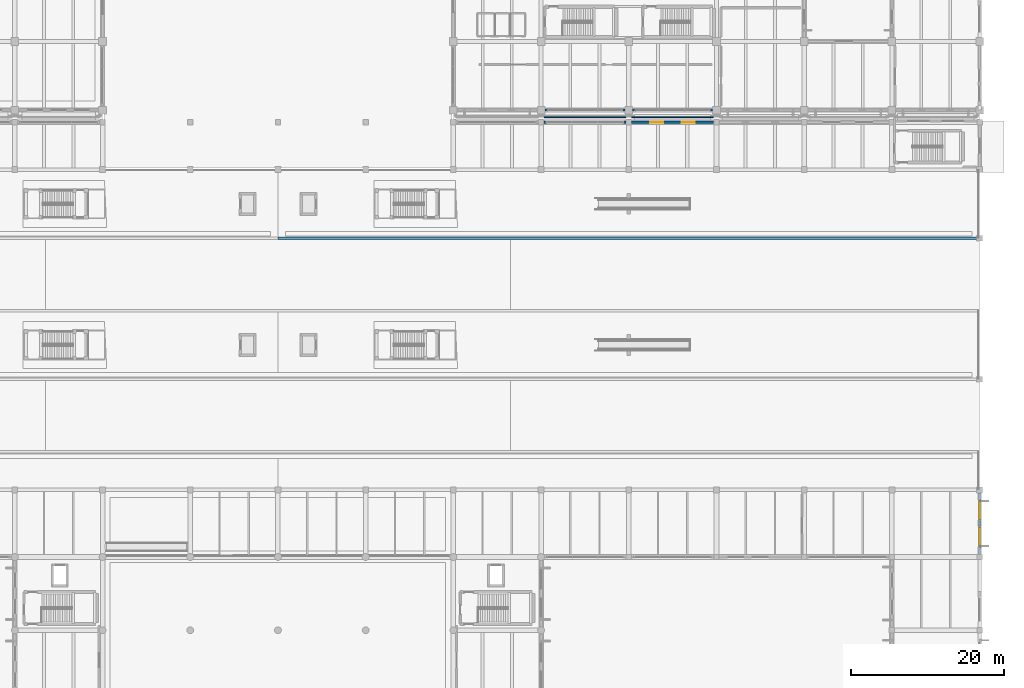
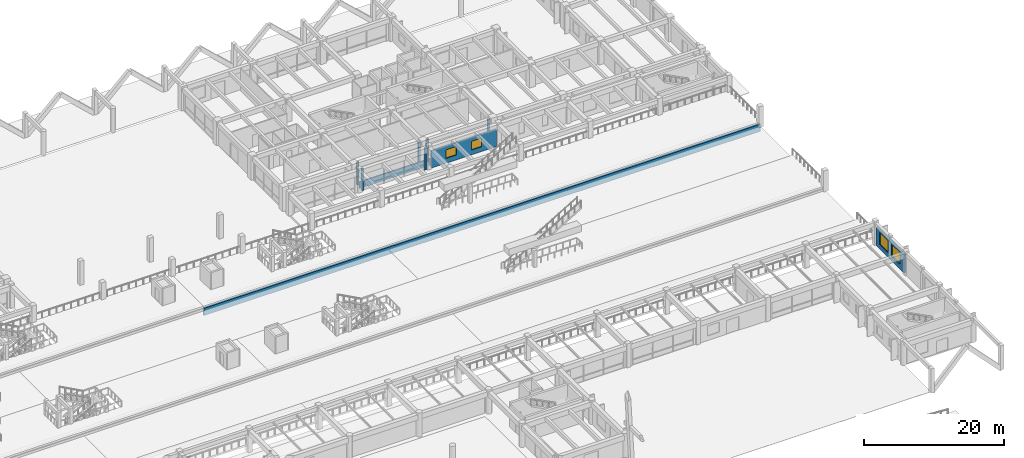
# One storey, part 89 of 109: 11 walls, 4 windows, 4 openings.
"""IFC4 building model written with IfcOpenShell, lengths in metres."""

from ifc_helpers import new_model, si_unit, direction, frame, frame_2d, origin, place, context, subcontext, project, spatial, rectangle, extrude, material, layer, layer_set, type_object, element, fill, save


model = new_model("IFC4")

# Units and contexts
model_context = context("Model", 3, precision=1e-05, world=origin(), true_north=direction((0.0, 1.0)))
body_context = subcontext(model_context, "Body", "Model", "MODEL_VIEW")
ifc_project = project(units=[si_unit("LENGTHUNIT", "METRE"), si_unit("AREAUNIT", "SQUARE_METRE"), si_unit("VOLUMEUNIT", "CUBIC_METRE"), si_unit("PLANEANGLEUNIT", "RADIAN"), si_unit("MASSUNIT", "GRAM", prefix="KILO")], contexts=[model_context])

# Site, building, storey
site_placement = place(None, origin())
site = spatial("IfcSite", under=ifc_project, at=site_placement, CompositionType="ELEMENT")
building_placement = place(site_placement, origin())
building = spatial("IfcBuilding", under=site, at=building_placement, Name="Ologun Quay Terminus", CompositionType="ELEMENT")
storey_placement = place(building_placement, origin())
storey = spatial("IfcBuildingStorey", under=building, at=storey_placement, Name="L00", CompositionType="ELEMENT", Elevation=0.0)

# Walls
ifc_material_1 = material(Name="Concrete C40/50", Category="concrete")
ifc_layer_1 = layer(ifc_material_1, 0.280029296875)
ifc_layer_set_1 = layer_set([ifc_layer_1], Name="Concrete C40/50")
wall_type_1 = type_object("IfcWallType", Name="Courtyard Wing Spandrel Concrete Wall 280", PredefinedType="SOLIDWALL", material=ifc_layer_set_1)
for number, where, z_axis, x_axis, name in (
    (1, (126.8701171875, 84.199951171875, 0.0), (0.0, 0.0, 1.0), (1.0, 0.0, 0.0), "Curtain Wall Jamb Pier CW-L00-087-J1"),
    (2, (137.280029296875, 84.199951171875, 0.0), (0.0, 0.0, 1.0), (1.0, 0.0, 0.0), "Curtain Wall Jamb Pier CW-L00-087-J2"),
):
    element("IfcWall", number, at=place(storey_placement, frame(where, z_axis=z_axis, x_axis=x_axis)), inside=storey, type_object=wall_type_1, Name=name, PredefinedType="SOLIDWALL", context=body_context, shape_type="SweptSolid", body=[
        extrude(rectangle(XDim=0.349853515625, YDim=0.280029296875, at=frame_2d((0.1748046875, 0.0))), origin(), (0.0, 0.0, 1.0), 3.85009765625),
    ])

# Wall, openings, windows
wall_1_placement = place(storey_placement, frame((138.3701171875, 84.199951171875, 0.0), z_axis=(0.0, 0.0, 1.0), x_axis=(1.0, 0.0, 0.0)))
wall_1 = element("IfcWall", 3, at=wall_1_placement, inside=storey, type_object=wall_type_1, Name="EW-02 Facade Wall WEW-NGW-L00-13", PredefinedType="SOLIDWALL", context=body_context, shape_type="SweptSolid", body=[
    extrude(rectangle(XDim=10.759765625, YDim=0.280029296875, at=frame_2d((5.3798828125, 0.0))), origin(), (0.0, 0.0, 1.0), 3.0),
])
opening_1_placement = place(wall_1_placement, frame((2.453369140625, 0.0, 0.85009765625)))
opening_1 = element("IfcOpeningElement", 4, at=opening_1_placement, cuts=wall_1, Name="Opening WN-116", PredefinedType="OPENING", context=body_context, shape_type="SweptSolid", body=[
    extrude(rectangle(XDim=1.699951171875, YDim=1.5, at=frame_2d((0.85009765625, 0.75))), frame((0.0, 0.14990234375, 0.0), z_axis=(0.0, -1.0, 0.0), x_axis=(1.0, 0.0, 0.0)), (0.0, 0.0, 1.0), 0.300048828125),
])
opening_2_placement = place(wall_1_placement, frame((6.606689453125, 0.0, 0.85009765625)))
opening_2 = element("IfcOpeningElement", 5, at=opening_2_placement, cuts=wall_1, Name="Opening WN-117", PredefinedType="OPENING", context=body_context, shape_type="SweptSolid", body=[
    extrude(rectangle(XDim=1.699951171875, YDim=1.5, at=frame_2d((0.85009765625, 0.75))), frame((0.0, 0.14990234375, 0.0), z_axis=(0.0, -1.0, 0.0), x_axis=(1.0, 0.0, 0.0)), (0.0, 0.0, 1.0), 0.300048828125),
])
ifc_material_2 = material(Name="Glass", Category="glass")
window_type_1 = type_object("IfcWindowType", Name="Left Luggage Service Window 1700x1500", PartitioningType="SINGLE_PANEL", PredefinedType="WINDOW", material=ifc_material_2)
window_1_placement = place(opening_1_placement, origin())
window_1 = element("IfcWindow", 6, at=window_1_placement, inside=storey, type_object=window_type_1, Name="W-34 Window WN-116", OverallHeight=1.5, OverallWidth=1.699951171875, PartitioningType="SINGLE_PANEL", PredefinedType="WINDOW", context=body_context, shape_type="SweptSolid", body=[
    extrude(rectangle(XDim=1.699951171875, YDim=1.5, at=frame_2d((0.85009765625, 0.75))), frame((0.0, 0.030029296875, 0.0), z_axis=(0.0, -1.0, 0.0), x_axis=(1.0, 0.0, 0.0)), (0.0, 0.0, 1.0), 0.06005859375),
])
fill(opening_1, window_1)
window_2_placement = place(opening_2_placement, origin())
window_2 = element("IfcWindow", 7, at=window_2_placement, inside=storey, type_object=window_type_1, Name="W-34 Window WN-117", OverallHeight=1.5, OverallWidth=1.699951171875, PartitioningType="SINGLE_PANEL", PredefinedType="WINDOW", context=body_context, shape_type="SweptSolid", body=[
    extrude(rectangle(XDim=1.699951171875, YDim=1.5, at=frame_2d((0.85009765625, 0.75))), frame((0.0, 0.030029296875, 0.0), z_axis=(0.0, -1.0, 0.0), x_axis=(1.0, 0.0, 0.0)), (0.0, 0.0, 1.0), 0.06005859375),
])
fill(opening_2, window_2)

# Walls
for number, where, z_axis, x_axis, name in (
    (8, (127.02001953125, 85.800048828125, 0.0), (0.0, 0.0, 1.0), (1.0, 0.0, 0.0), "Curtain Wall Jamb Pier CW-L00-118-J1"),
    (9, (137.1298828125, 85.800048828125, 0.0), (0.0, 0.0, 1.0), (1.0, 0.0, 0.0), "Curtain Wall Jamb Pier CW-L00-118-J2"),
    (10, (138.52001953125, 85.800048828125, 0.0), (0.0, 0.0, 1.0), (1.0, 0.0, 0.0), "Curtain Wall Jamb Pier CW-L00-119-J1"),
    (11, (148.6298828125, 85.800048828125, 0.0), (0.0, 0.0, 1.0), (1.0, 0.0, 0.0), "Curtain Wall Jamb Pier CW-L00-119-J2"),
):
    element("IfcWall", number, at=place(storey_placement, frame(where, z_axis=z_axis, x_axis=x_axis)), inside=storey, type_object=wall_type_1, Name=name, PredefinedType="SOLIDWALL", context=body_context, shape_type="SweptSolid", body=[
        extrude(rectangle(XDim=0.35009765625, YDim=0.280029296875, at=frame_2d((0.175048828125, 0.0))), origin(), (0.0, 0.0, 1.0), 3.929931640625),
    ])
ifc_material_3 = material(Name="Concrete C40/50", Category="concrete")
ifc_layer_2 = layer(ifc_material_3, 0.300048828125)
ifc_layer_set_2 = layer_set([ifc_layer_2], Name="Concrete C40/50")
wall_type_2 = type_object("IfcWallType", Name="Lift Shaft Structural Shear Wall 300", PredefinedType="SHEAR", material=ifc_layer_set_2)
wall_2_placement = place(storey_placement, frame((92.0, 69.0, -0.320068359375), z_axis=(0.0, 0.0, 1.0), x_axis=(1.0, 0.0, 0.0)))
element("IfcWall", 12, at=wall_2_placement, inside=storey, type_object=wall_type_2, Name="Platform Retaining Edge Wall Platform 4 Y69.0", PredefinedType="SHEAR", context=body_context, shape_type="SweptSolid", body=[
    extrude(rectangle(XDim=92.0, YDim=0.300048828125, at=frame_2d((46.0, 0.0))), origin(), (0.0, 0.0, 1.0), 1.27001953125),
])
ifc_material_4 = material(Name="Concrete C40/50", Category="concrete")
ifc_layer_3 = layer(ifc_material_4, 0.18994140625)
ifc_layer_set_3 = layer_set([ifc_layer_3], Name="Concrete C40/50")
wall_type_3 = type_object("IfcWallType", Name="Movement Joint Weathering Upstand 190", PredefinedType="PARAPET", material=ifc_layer_set_3)
for number, where, z_axis, x_axis, name in (
    (13, (126.89990234375, 84.860107421875, 0.0), (0.0, 0.0, 1.0), (1.0, 0.0, 0.0), "EW-07 Movement Joint Upstand L00-12"),
    (14, (138.39990234375, 84.860107421875, 0.0), (0.0, 0.0, 1.0), (1.0, 0.0, 0.0), "EW-07 Movement Joint Upstand L00-13"),
):
    element("IfcWall", number, at=place(storey_placement, frame(where, z_axis=z_axis, x_axis=x_axis)), inside=storey, type_object=wall_type_3, Name=name, PredefinedType="PARAPET", context=body_context, shape_type="SweptSolid", body=[
        extrude(rectangle(XDim=10.7001953125, YDim=0.18994140625, at=frame_2d((5.35009765625, 0.0))), origin(), (0.0, 0.0, 1.0), 1.14990234375),
    ])

# Wall, openings, windows
ifc_material_5 = material(Name="Concrete C40/50", Category="concrete")
ifc_layer_4 = layer(ifc_material_5, 0.320068359375)
ifc_layer_set_4 = layer_set([ifc_layer_4], Name="Concrete C40/50")
wall_type_4 = type_object("IfcWallType", Name="Podium Sculpted Concrete Facade Wall 320", PredefinedType="SOLIDWALL", material=ifc_layer_set_4)
wall_3_placement = place(storey_placement, frame((184.0, 27.570068359375, 0.0), z_axis=(0.0, 0.0, 1.0), x_axis=(0.0, 1.0, 0.0)))
wall_3 = element("IfcWall", 15, at=wall_3_placement, inside=storey, type_object=wall_type_4, Name="EW-01 Facade Wall WEW-SA-L00-3-10", PredefinedType="SOLIDWALL", context=body_context, shape_type="SweptSolid", body=[
    extrude(rectangle(XDim=8.034912109375, YDim=0.320068359375, at=frame_2d((4.017578125, 0.0))), origin(), (0.0, 0.0, 1.0), 3.199951171875),
])
opening_3_placement = place(wall_3_placement, frame((1.078369140625, 0.0, 0.840087890625)))
opening_3 = element("IfcOpeningElement", 16, at=opening_3_placement, cuts=wall_3, Name="Opening WN-027", PredefinedType="OPENING", context=body_context, shape_type="SweptSolid", body=[
    extrude(rectangle(XDim=2.39990234375, YDim=2.10009765625, at=frame_2d((1.199951171875, 1.050048828125))), frame((0.0, 0.169921875, 0.0), z_axis=(0.0, -1.0, 0.0), x_axis=(1.0, 0.0, 0.0)), (0.0, 0.0, 1.0), 0.340087890625),
])
opening_4_placement = place(wall_3_placement, frame((4.556640625, 0.0, 0.840087890625)))
opening_4 = element("IfcOpeningElement", 17, at=opening_4_placement, cuts=wall_3, Name="Opening WN-028", PredefinedType="OPENING", context=body_context, shape_type="SweptSolid", body=[
    extrude(rectangle(XDim=2.39990234375, YDim=2.10009765625, at=frame_2d((1.199951171875, 1.050048828125))), frame((0.0, 0.169921875, 0.0), z_axis=(0.0, -1.0, 0.0), x_axis=(1.0, 0.0, 0.0)), (0.0, 0.0, 1.0), 0.340087890625),
])
ifc_material_6 = material(Name="Glass", Category="glass")
window_type_2 = type_object("IfcWindowType", Name="Retail Display Window 2400x2100", PartitioningType="SINGLE_PANEL", PredefinedType="WINDOW", material=ifc_material_6)
window_3_placement = place(opening_3_placement, origin())
window_3 = element("IfcWindow", 18, at=window_3_placement, inside=storey, type_object=window_type_2, Name="W-01 Window WN-027", OverallHeight=2.10009765625, OverallWidth=2.39990234375, PartitioningType="SINGLE_PANEL", PredefinedType="WINDOW", context=body_context, shape_type="SweptSolid", body=[
    extrude(rectangle(XDim=2.39990234375, YDim=2.10009765625, at=frame_2d((1.199951171875, 1.050048828125))), frame((0.0, 0.030029296875, 0.0), z_axis=(0.0, -1.0, 0.0), x_axis=(1.0, 0.0, 0.0)), (0.0, 0.0, 1.0), 0.06005859375),
])
fill(opening_3, window_3)
window_4_placement = place(opening_4_placement, origin())
window_4 = element("IfcWindow", 19, at=window_4_placement, inside=storey, type_object=window_type_2, Name="W-01 Window WN-028", OverallHeight=2.10009765625, OverallWidth=2.39990234375, PartitioningType="SINGLE_PANEL", PredefinedType="WINDOW", context=body_context, shape_type="SweptSolid", body=[
    extrude(rectangle(XDim=2.39990234375, YDim=2.10009765625, at=frame_2d((1.199951171875, 1.050048828125))), frame((0.0, 0.030029296875, 0.0), z_axis=(0.0, -1.0, 0.0), x_axis=(1.0, 0.0, 0.0)), (0.0, 0.0, 1.0), 0.06005859375),
])
fill(opening_4, window_4)

save(model, "model.ifc")
